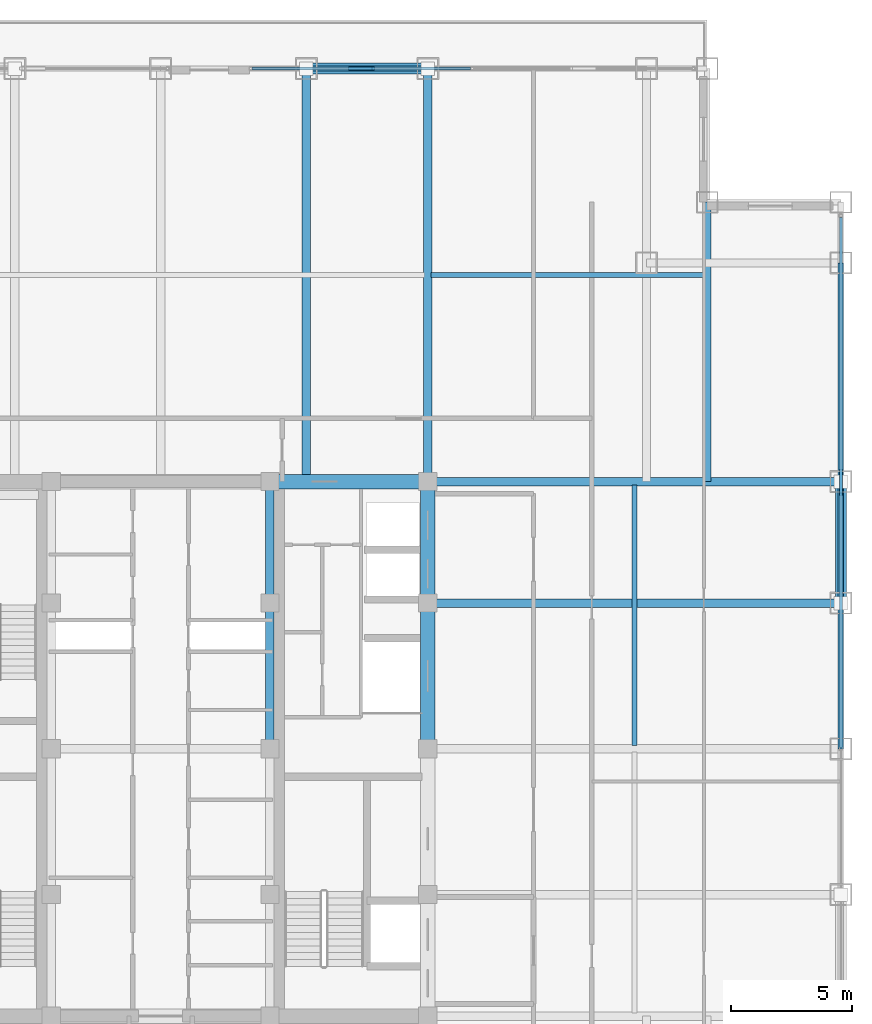
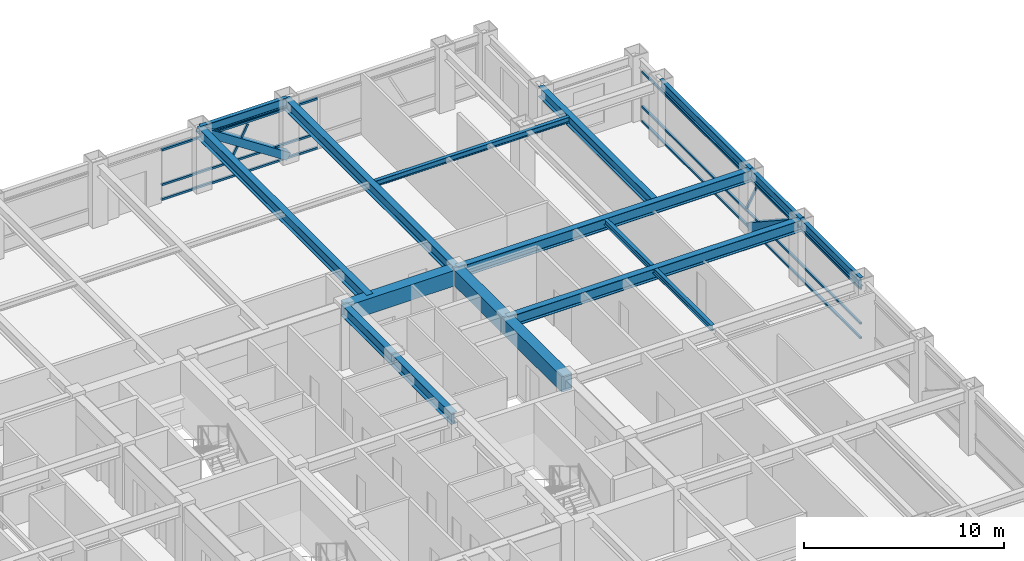
# One storey, part 21 of 32: 16 beams, 10 members, 2 elements without a shape of their own.
"""IFC4 building model written with IfcOpenShell, lengths in metres."""

from ifc_helpers import new_model, si_unit, direction, frame, origin, origin_2d, place, context, subcontext, project, spatial, rectangle, hollow_rectangle, i_section, extrude, source, transform, mapped, material, material_profile, profile_set, type_object, element, aggregate, save


model = new_model("IFC4")

# Units and contexts
model_context = context("Model", 3, precision=1e-05, world=origin(), true_north=direction((0.0, 1.0)))
body_context = subcontext(model_context, "Body", "Model", "MODEL_VIEW")
ifc_project = project(units=[si_unit("LENGTHUNIT", "METRE"), si_unit("AREAUNIT", "SQUARE_METRE"), si_unit("VOLUMEUNIT", "CUBIC_METRE"), si_unit("PLANEANGLEUNIT", "RADIAN"), si_unit("MASSUNIT", "GRAM", prefix="KILO")], contexts=[model_context])

# Site, building, storey
site_placement = place(None, origin())
site = spatial("IfcSite", under=ifc_project, at=site_placement, CompositionType="ELEMENT")
building_placement = place(site_placement, origin())
building = spatial("IfcBuilding", under=site, at=building_placement, Name="Khorayat Bourse Tower", CompositionType="ELEMENT")
storey_placement = place(building_placement, frame((0.0, 0.0, 273.5)))
storey = spatial("IfcBuildingStorey", under=building, at=storey_placement, Name="L64", CompositionType="ELEMENT", Elevation=273.5)

# Beams
ifc_material_1 = material(Name="Steel ASTM A992 Grade 50", Category="steel")
ifc_material_profile_1 = material_profile(ifc_material_1, i_section(OverallWidth=0.35498046875, OverallDepth=0.695068359375, WebThickness=0.015380859375, FlangeThickness=0.02490234375, FilletRadius=0.01806640625, at=origin_2d()), Name="W690X217")
ifc_profile_set_1 = profile_set([ifc_material_profile_1], Name="Steel ASTM A992 Grade 50")
beam_type_1 = type_object("IfcBeamType", Name="BM-GIRD-690", PredefinedType="BEAM", material=ifc_profile_set_1)
shared_shape_1 = source(origin(), body_context, "Body", "SweptSolid", [
    extrude(i_section(OverallWidth=0.35498046875, OverallDepth=0.695068359375, WebThickness=0.015380859375, FlangeThickness=0.02490234375, FilletRadius=0.01806640625, at=origin_2d()), origin(), (0.0, 0.0, 1.0), 5.0),
])
beam_1_placement = place(storey_placement, frame((4.5, 6.0, 3.4326171875), z_axis=(0.0, 1.0, 0.0), x_axis=(-1.0, 0.0, 0.0)))
element("IfcBeam", 1, at=beam_1_placement, inside=storey, type_object=beam_type_1, Name="L64 BM-GIRD-690 BM-L64-CRX-12", PredefinedType="BEAM", context=body_context, shape_type="MappedRepresentation", body=[
    mapped(shared_shape_1, transform((0.0, 0.0, 0.0), scale=1.0)),
])
shared_shape_2 = source(origin(), body_context, "Body", "SweptSolid", [
    extrude(i_section(OverallWidth=0.35498046875, OverallDepth=0.695068359375, WebThickness=0.015380859375, FlangeThickness=0.02490234375, FilletRadius=0.01806640625, at=origin_2d()), origin(), (0.0, 0.0, 1.0), 6.0),
])
beam_2_placement = place(storey_placement, frame((4.5, 0.0, 3.4326171875), z_axis=(0.0, 1.0, 0.0), x_axis=(-1.0, 0.0, 0.0)))
element("IfcBeam", 2, at=beam_2_placement, inside=storey, type_object=beam_type_1, Name="L64 BM-GIRD-690 BM-L64-CRX-11", PredefinedType="BEAM", context=body_context, shape_type="MappedRepresentation", body=[
    mapped(shared_shape_2, transform((0.0, 0.0, 0.0), scale=1.0)),
])
ifc_material_2 = material(Name="Concrete C60/75", Category="concrete")
ifc_material_profile_2 = material_profile(ifc_material_2, rectangle(XDim=0.60009765625, YDim=0.949951171875, at=origin_2d()), Name="RC 600x950")
ifc_profile_set_2 = profile_set([ifc_material_profile_2], Name="Concrete C60/75")
beam_type_2 = type_object("IfcBeamType", Name="BM-COUP-950", PredefinedType="BEAM", material=ifc_profile_set_2)
shared_shape_3 = source(origin(), body_context, "Body", "SweptSolid", [
    extrude(rectangle(XDim=0.60009765625, YDim=0.949951171875, at=origin_2d()), origin(), (0.0, 0.0, 1.0), 5.0),
])
beam_3_placement = place(storey_placement, frame((11.0, 6.0, 3.304931640625), z_axis=(0.0, 1.0, 0.0), x_axis=(-1.0, 0.0, 0.0)))
element("IfcBeam", 3, at=beam_3_placement, inside=storey, type_object=beam_type_2, Name="L64 BM-COUP-950 BM-L64-CRX-16", PredefinedType="BEAM", context=body_context, shape_type="MappedRepresentation", body=[
    mapped(shared_shape_3, transform((0.0, 0.0, 0.0), scale=1.0)),
])
shared_shape_4 = source(origin(), body_context, "Body", "SweptSolid", [
    extrude(rectangle(XDim=0.60009765625, YDim=0.949951171875, at=origin_2d()), origin(), (0.0, 0.0, 1.0), 6.0),
])
beam_4_placement = place(storey_placement, frame((11.0, 0.0, 3.304931640625), z_axis=(0.0, 1.0, 0.0), x_axis=(-1.0, 0.0, 0.0)))
element("IfcBeam", 4, at=beam_4_placement, inside=storey, type_object=beam_type_2, Name="L64 BM-COUP-950 BM-L64-CRX-15", PredefinedType="BEAM", context=body_context, shape_type="MappedRepresentation", body=[
    mapped(shared_shape_4, transform((0.0, 0.0, 0.0), scale=1.0)),
])
shared_shape_5 = source(origin(), body_context, "Body", "SweptSolid", [
    extrude(rectangle(XDim=0.60009765625, YDim=0.949951171875, at=origin_2d()), origin(), (0.0, 0.0, 1.0), 6.5),
])
beam_5_placement = place(storey_placement, frame((4.5, 11.0, 3.304931640625), z_axis=(1.0, 0.0, 0.0), x_axis=(0.0, 1.0, 0.0)))
element("IfcBeam", 5, at=beam_5_placement, inside=storey, type_object=beam_type_2, Name="L64 BM-COUP-950 BM-L64-CRY-22", PredefinedType="BEAM", context=body_context, shape_type="MappedRepresentation", body=[
    mapped(shared_shape_5, transform((0.0, 0.0, 0.0), scale=1.0)),
])

# Members
ifc_material_3 = material(Name="Steel EN 10025-4 S460M", Category="steel")
ifc_material_profile_3 = material_profile(ifc_material_3, hollow_rectangle(XDim=0.449951171875, YDim=0.449951171875, WallThickness=0.02490234375, at=origin_2d()), Name="HSS 450x450x25")
ifc_profile_set_3 = profile_set([ifc_material_profile_3], Name="Steel EN 10025-4 S460M")
member_type_1 = type_object("IfcMemberType", Name="MBR-TUBE-450", PredefinedType="BRACE", material=ifc_profile_set_3)
shared_shape_6 = source(origin(), body_context, "Body", "SweptSolid", [
    extrude(hollow_rectangle(XDim=0.449951171875, YDim=0.449951171875, WallThickness=0.02490234375, at=origin_2d()), origin(), (0.0, 0.0, 1.0), 5.979736328125),
])
for number, where, z_axis, x_axis, name in (
    (6, (6.0, 28.0, 3.530029296875), (0.836141536525, 0.0, -0.548513747227), (0.0, 1.0, 0.0), "L64 Perimeter Tube Brace 04"),
    (7, (28.0, 6.0, 3.530029296875), (0.0, 0.836141536525, -0.548513747227), (-1.0, 0.0, 0.0), "L64 Perimeter Tube Brace 08"),
):
    element("IfcMember", number, at=place(storey_placement, frame(where, z_axis=z_axis, x_axis=x_axis)), inside=storey, type_object=member_type_1, Name=name, PredefinedType="BRACE", context=body_context, shape_type="MappedRepresentation", body=[
        mapped(shared_shape_6, transform((0.0, 0.0, 0.0), scale=1.0)),
    ])

# Beams
shared_shape_7 = source(origin(), body_context, "Body", "SweptSolid", [
    extrude(i_section(OverallWidth=0.35498046875, OverallDepth=0.695068359375, WebThickness=0.015380859375, FlangeThickness=0.02490234375, FilletRadius=0.01806640625, at=origin_2d()), origin(), (0.0, 0.0, 1.0), 17.0),
])
for number, where, z_axis, x_axis, name in (
    (8, (6.0, 11.0, 3.4326171875), (0.0, 1.0, 0.0), (-1.0, 0.0, 0.0), "L64 BM-GIRD-690 BM-L64-RADY-070"),
    (9, (11.0, 11.0, 3.4326171875), (0.0, 1.0, 0.0), (-1.0, 0.0, 0.0), "L64 BM-GIRD-690 BM-L64-RADY-072"),
    (10, (11.0, 6.0, 3.4326171875), (1.0, 0.0, 0.0), (0.0, 1.0, 0.0), "L64 BM-GIRD-690 BM-L64-RADX-080"),
    (11, (11.0, 11.0, 3.4326171875), (1.0, 0.0, 0.0), (0.0, 1.0, 0.0), "L64 BM-GIRD-690 BM-L64-RADX-082"),
):
    element("IfcBeam", number, at=place(storey_placement, frame(where, z_axis=z_axis, x_axis=x_axis)), inside=storey, type_object=beam_type_1, Name=name, PredefinedType="BEAM", context=body_context, shape_type="MappedRepresentation", body=[
        mapped(shared_shape_7, transform((0.0, 0.0, 0.0), scale=1.0)),
    ])
ifc_material_profile_4 = material_profile(ifc_material_1, i_section(OverallWidth=0.324951171875, OverallDepth=0.615966796875, WebThickness=0.013916015625, FlangeThickness=0.021484375, FilletRadius=0.01611328125, at=origin_2d()), Name="W610X174")
ifc_profile_set_4 = profile_set([ifc_material_profile_4], Name="Steel ASTM A992 Grade 50")
beam_type_3 = type_object("IfcBeamType", Name="BM-GIRD-610", PredefinedType="BEAM", material=ifc_profile_set_4)
shared_shape_8 = source(origin(), body_context, "Body", "SweptSolid", [
    extrude(i_section(OverallWidth=0.324951171875, OverallDepth=0.615966796875, WebThickness=0.013916015625, FlangeThickness=0.021484375, FilletRadius=0.01611328125, at=origin_2d()), origin(), (0.0, 0.0, 1.0), 11.5),
])
beam_6_placement = place(storey_placement, frame((22.5, 11.0, 3.471923828125), z_axis=(0.0, 1.0, 0.0), x_axis=(-1.0, 0.0, 0.0)))
element("IfcBeam", 12, at=beam_6_placement, inside=storey, type_object=beam_type_3, Name="L64 BM-GIRD-610 BM-L64-CNRY-091", PredefinedType="BEAM", context=body_context, shape_type="MappedRepresentation", body=[
    mapped(shared_shape_8, transform((0.0, 0.0, 0.0), scale=1.0)),
])
ifc_material_profile_5 = material_profile(ifc_material_1, i_section(OverallWidth=0.202880859375, OverallDepth=0.346923828125, WebThickness=0.0078125, FlangeThickness=0.013427734375, FilletRadius=0.010009765625, at=origin_2d()), Name="W360X64")
ifc_profile_set_5 = profile_set([ifc_material_profile_5], Name="Steel ASTM A992 Grade 50")
beam_type_4 = type_object("IfcBeamType", Name="BM-JOIST-360", PredefinedType="JOIST", material=ifc_profile_set_5)
shared_shape_9 = source(origin(), body_context, "Body", "SweptSolid", [
    extrude(i_section(OverallWidth=0.202880859375, OverallDepth=0.346923828125, WebThickness=0.0078125, FlangeThickness=0.013427734375, FilletRadius=0.010009765625, at=origin_2d()), origin(), (0.0, 0.0, 1.0), 11.240234375),
])
beam_7_placement = place(storey_placement, frame((11.1298828125, 19.5, 3.6064453125), z_axis=(1.0, 0.0, 0.0), x_axis=(0.0, 1.0, 0.0)))
element("IfcBeam", 13, at=beam_7_placement, inside=storey, type_object=beam_type_4, Name="L64 BM-JOIST-360 BM-L64-JSTX-101", PredefinedType="JOIST", context=body_context, shape_type="MappedRepresentation", body=[
    mapped(shared_shape_9, transform((0.0, 0.0, 0.0), scale=1.0)),
])
shared_shape_10 = source(origin(), body_context, "Body", "SweptSolid", [
    extrude(i_section(OverallWidth=0.202880859375, OverallDepth=0.346923828125, WebThickness=0.0078125, FlangeThickness=0.013427734375, FilletRadius=0.010009765625, at=origin_2d()), origin(), (0.0, 0.0, 1.0), 10.740234375),
])
beam_8_placement = place(storey_placement, frame((19.5, 0.1298828125, 3.6064453125), z_axis=(0.0, 1.0, 0.0), x_axis=(-1.0, 0.0, 0.0)))
element("IfcBeam", 14, at=beam_8_placement, inside=storey, type_object=beam_type_4, Name="L64 BM-JOIST-360 BM-L64-JSTY-105", PredefinedType="JOIST", context=body_context, shape_type="MappedRepresentation", body=[
    mapped(shared_shape_10, transform((0.0, 0.0, 0.0), scale=1.0)),
])
ifc_material_profile_6 = material_profile(ifc_material_1, i_section(OverallWidth=0.214111328125, OverallDepth=0.549072265625, WebThickness=0.0146484375, FlangeThickness=0.023681640625, FilletRadius=0.013916015625, at=origin_2d()), Name="W530X138")
ifc_profile_set_6 = profile_set([ifc_material_profile_6], Name="Steel ASTM A992 Grade 50")
beam_type_5 = type_object("IfcBeamType", Name="BM-SPAN-530", PredefinedType="SPANDREL", material=ifc_profile_set_6)
shared_shape_11 = source(origin(), body_context, "Body", "SweptSolid", [
    extrude(i_section(OverallWidth=0.214111328125, OverallDepth=0.549072265625, WebThickness=0.0146484375, FlangeThickness=0.023681640625, FilletRadius=0.013916015625, at=origin_2d()), origin(), (0.0, 0.0, 1.0), 9.0),
])
beam_9_placement = place(storey_placement, frame((28.0, 11.0, 3.505615234375), z_axis=(0.0, 1.0, 0.0), x_axis=(-1.0, 0.0, 0.0)))
element("IfcBeam", 15, at=beam_9_placement, inside=storey, type_object=beam_type_5, Name="L64 BM-SPAN-530 BM-L64-SPN-040", PredefinedType="SPANDREL", context=body_context, shape_type="MappedRepresentation", body=[
    mapped(shared_shape_11, transform((0.0, 0.0, 0.0), scale=1.0)),
])
shared_shape_12 = source(origin(), body_context, "Body", "SweptSolid", [
    extrude(i_section(OverallWidth=0.214111328125, OverallDepth=0.549072265625, WebThickness=0.0146484375, FlangeThickness=0.023681640625, FilletRadius=0.013916015625, at=origin_2d()), origin(), (0.0, 0.0, 1.0), 5.0),
])
for number, where, z_axis, x_axis, name in (
    (16, (28.0, 6.0, 3.505615234375), (0.0, 1.0, 0.0), (-1.0, 0.0, 0.0), "L64 BM-SPAN-530 BM-L64-SPN-039"),
    (17, (6.0, 28.0, 3.505615234375), (1.0, 0.0, 0.0), (0.0, 1.0, 0.0), "L64 BM-SPAN-530 BM-L64-SPN-046"),
):
    element("IfcBeam", number, at=place(storey_placement, frame(where, z_axis=z_axis, x_axis=x_axis)), inside=storey, type_object=beam_type_5, Name=name, PredefinedType="SPANDREL", context=body_context, shape_type="MappedRepresentation", body=[
        mapped(shared_shape_12, transform((0.0, 0.0, 0.0), scale=1.0)),
    ])
shared_shape_13 = source(origin(), body_context, "Body", "SweptSolid", [
    extrude(i_section(OverallWidth=0.214111328125, OverallDepth=0.549072265625, WebThickness=0.0146484375, FlangeThickness=0.023681640625, FilletRadius=0.013916015625, at=origin_2d()), origin(), (0.0, 0.0, 1.0), 6.0),
])
beam_10_placement = place(storey_placement, frame((28.0, 0.0, 3.505615234375), z_axis=(0.0, 1.0, 0.0), x_axis=(-1.0, 0.0, 0.0)))
element("IfcBeam", 18, at=beam_10_placement, inside=storey, type_object=beam_type_5, Name="L64 BM-SPAN-530 BM-L64-SPN-038", PredefinedType="SPANDREL", context=body_context, shape_type="MappedRepresentation", body=[
    mapped(shared_shape_13, transform((0.0, 0.0, 0.0), scale=1.0)),
])

# Curtain wall, member
ifc_material_4 = material(Name="Aluminium EN AW-6063 T6", Category="aluminium")
curtain_wall_type = type_object("IfcCurtainWallType", Name="CW-SYS-04", PredefinedType="NOTDEFINED", material=ifc_material_4)
curtain_wall_1_placement = place(storey_placement, origin())
curtain_wall_1 = element("IfcCurtainWall", 19, at=curtain_wall_1_placement, inside=storey, type_object=curtain_wall_type, Name="L64 Curtain Wall CW-L64-N2", PredefinedType="NOTDEFINED")
ifc_material_profile_7 = material_profile(ifc_material_4, hollow_rectangle(XDim=0.1201171875, YDim=0.1201171875, WallThickness=0.0048828125, at=origin_2d()), Name="ALU 120x120x5")
ifc_profile_set_7 = profile_set([ifc_material_profile_7], Name="Aluminium EN AW-6063 T6")
member_type_2 = type_object("IfcMemberType", Name="CWM-DIAG-120", PredefinedType="MULLION", material=ifc_profile_set_7)
shared_shape_14 = source(origin(), body_context, "Body", "SweptSolid", [
    extrude(hollow_rectangle(XDim=0.1201171875, YDim=0.1201171875, WallThickness=0.0048828125, at=origin_2d()), origin(), (0.0, 0.0, 1.0), 2.0791015625),
])
member_1_placement = place(storey_placement, frame((7.783203125, 28.0, 1.090087890625), z_axis=(0.465809344892, 0.0, 0.884885107916), x_axis=(0.0, 1.0, 0.0)))
member_1 = element("IfcMember", 20, at=member_1_placement, type_object=member_type_2, Name="CW-L64-N2 Faceted Diagonal Mullion 1", PredefinedType="MULLION", context=body_context, shape_type="MappedRepresentation", body=[
    mapped(shared_shape_14, transform((0.0, 0.0, 0.0), scale=1.0)),
])

curtain_wall_2_placement = place(storey_placement, origin())
curtain_wall_2 = element("IfcCurtainWall", 21, at=curtain_wall_2_placement, inside=storey, type_object=curtain_wall_type, Name="L64 Curtain Wall CW-L64-E1", PredefinedType="NOTDEFINED")
member_2_placement = place(storey_placement, frame((28.0, 11.4541015625, 1.090087890625), z_axis=(0.0, -0.465717394116, 0.884933505309), x_axis=(1.0, 0.0, 0.0)))
member_2 = element("IfcMember", 22, at=member_2_placement, type_object=member_type_2, Name="CW-L64-E1 Faceted Diagonal Mullion 2", PredefinedType="MULLION", context=body_context, shape_type="MappedRepresentation", body=[
    mapped(shared_shape_14, transform((0.0, 0.0, 0.0), scale=1.0)),
])

# Member
ifc_material_profile_8 = material_profile(ifc_material_4, hollow_rectangle(XDim=0.1201171875, YDim=0.1201171875, WallThickness=0.0048828125, at=origin_2d()), Name="ALU 120x120x5")
ifc_profile_set_8 = profile_set([ifc_material_profile_8], Name="Aluminium EN AW-6063 T6")
member_type_3 = type_object("IfcMemberType", Name="CWT-HORZ-120", PredefinedType="USERDEFINED", material=ifc_profile_set_8)
shared_shape_15 = source(origin(), body_context, "Body", "SweptSolid", [
    extrude(hollow_rectangle(XDim=0.1201171875, YDim=0.1201171875, WallThickness=0.0048828125, at=origin_2d()), origin(), (0.0, 0.0, 1.0), 8.994873046875),
])
member_3_placement = place(storey_placement, frame((3.77001953125, 28.0, 0.06005859375), z_axis=(1.0, 0.0, 0.0), x_axis=(0.0, 1.0, 0.0)))
member_3 = element("IfcMember", 23, at=member_3_placement, type_object=member_type_3, Name="CW-L64-N2 Horizontal Transom 1-1", ObjectType="TRANSOM", PredefinedType="USERDEFINED", context=body_context, shape_type="MappedRepresentation", body=[
    mapped(shared_shape_15, transform((0.0, 0.0, 0.0), scale=1.0)),
])

member_4_placement = place(storey_placement, frame((3.77001953125, 28.0, 0.949951171875), z_axis=(1.0, 0.0, 0.0), x_axis=(0.0, 1.0, 0.0)))
member_4 = element("IfcMember", 24, at=member_4_placement, type_object=member_type_3, Name="CW-L64-N2 Horizontal Transom 1-2", ObjectType="TRANSOM", PredefinedType="USERDEFINED", context=body_context, shape_type="MappedRepresentation", body=[
    mapped(shared_shape_15, transform((0.0, 0.0, 0.0), scale=1.0)),
])

member_5_placement = place(storey_placement, frame((3.77001953125, 28.0, 3.070068359375), z_axis=(1.0, 0.0, 0.0), x_axis=(0.0, 1.0, 0.0)))
member_5 = element("IfcMember", 25, at=member_5_placement, type_object=member_type_3, Name="CW-L64-N2 Horizontal Transom 1-3", ObjectType="TRANSOM", PredefinedType="USERDEFINED", context=body_context, shape_type="MappedRepresentation", body=[
    mapped(shared_shape_15, transform((0.0, 0.0, 0.0), scale=1.0)),
])

aggregate(curtain_wall_1, [member_3, member_4, member_5, member_1])

shared_shape_16 = source(origin(), body_context, "Body", "SweptSolid", [
    extrude(hollow_rectangle(XDim=0.1201171875, YDim=0.1201171875, WallThickness=0.0048828125, at=origin_2d()), origin(), (0.0, 0.0, 1.0), 21.81982421875),
])
member_6_placement = place(storey_placement, frame((28.0, 0.06005859375, 0.06005859375), z_axis=(0.0, 1.0, 0.0), x_axis=(-1.0, 0.0, 0.0)))
member_6 = element("IfcMember", 26, at=member_6_placement, type_object=member_type_3, Name="CW-L64-E1 Horizontal Transom 2-1", ObjectType="TRANSOM", PredefinedType="USERDEFINED", context=body_context, shape_type="MappedRepresentation", body=[
    mapped(shared_shape_16, transform((0.0, 0.0, 0.0), scale=1.0)),
])

member_7_placement = place(storey_placement, frame((28.0, 0.06005859375, 0.949951171875), z_axis=(0.0, 1.0, 0.0), x_axis=(-1.0, 0.0, 0.0)))
member_7 = element("IfcMember", 27, at=member_7_placement, type_object=member_type_3, Name="CW-L64-E1 Horizontal Transom 2-2", ObjectType="TRANSOM", PredefinedType="USERDEFINED", context=body_context, shape_type="MappedRepresentation", body=[
    mapped(shared_shape_16, transform((0.0, 0.0, 0.0), scale=1.0)),
])

member_8_placement = place(storey_placement, frame((28.0, 0.06005859375, 3.070068359375), z_axis=(0.0, 1.0, 0.0), x_axis=(-1.0, 0.0, 0.0)))
member_8 = element("IfcMember", 28, at=member_8_placement, type_object=member_type_3, Name="CW-L64-E1 Horizontal Transom 2-3", ObjectType="TRANSOM", PredefinedType="USERDEFINED", context=body_context, shape_type="MappedRepresentation", body=[
    mapped(shared_shape_16, transform((0.0, 0.0, 0.0), scale=1.0)),
])

aggregate(curtain_wall_2, [member_6, member_7, member_8, member_2])

save(model, "model.ifc")
